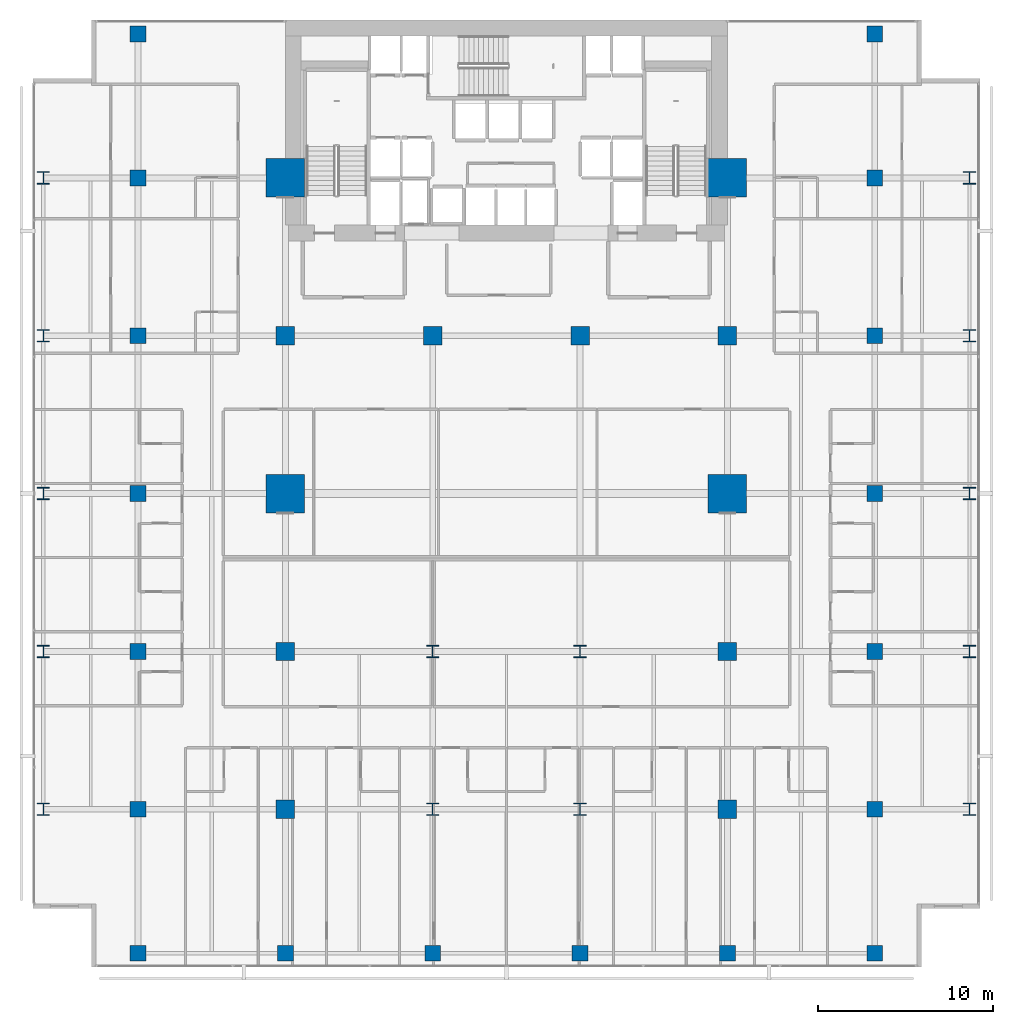
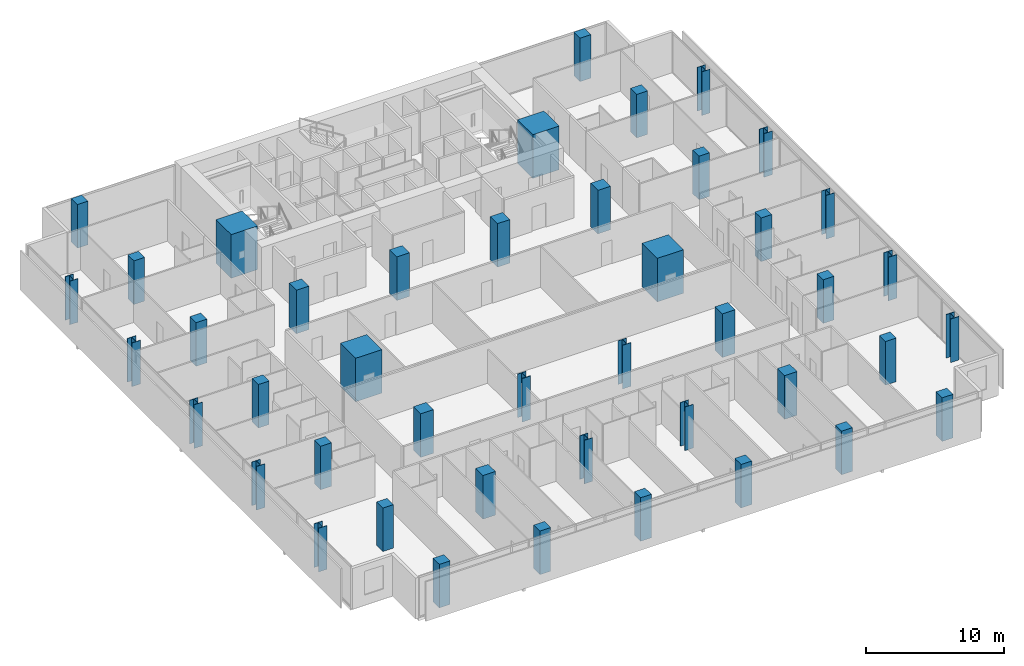
# One storey, part 1 of 40: 44 columns.
"""IFC4 building model written with IfcOpenShell, lengths in metres."""

from ifc_helpers import new_model, si_unit, direction, frame, origin, origin_2d, place, context, subcontext, project, spatial, rectangle, i_section, extrude, material, material_profile, profile_set, type_object, element, save


model = new_model("IFC4")

# Units and contexts
model_context = context("Model", 3, precision=1e-05, world=origin(), true_north=direction((0.0, 1.0)))
body_context = subcontext(model_context, "Body", "Model", "MODEL_VIEW")
ifc_project = project(units=[si_unit("LENGTHUNIT", "METRE"), si_unit("AREAUNIT", "SQUARE_METRE"), si_unit("VOLUMEUNIT", "CUBIC_METRE"), si_unit("PLANEANGLEUNIT", "RADIAN"), si_unit("MASSUNIT", "GRAM", prefix="KILO")], contexts=[model_context])

# Site, building, storey
site_placement = place(None, origin())
site = spatial("IfcSite", under=ifc_project, at=site_placement, CompositionType="ELEMENT")
building_placement = place(site_placement, origin())
building = spatial("IfcBuilding", under=site, at=building_placement, Name="Maruvema Waterfront Hotel and Observation Tower", CompositionType="ELEMENT")
storey_placement = place(building_placement, frame((0.0, 0.0, 30.800048828125)))
storey = spatial("IfcBuildingStorey", under=building, at=storey_placement, Name="L06", CompositionType="ELEMENT", Elevation=30.800048828125)

# Columns
ifc_material_1 = material(Name="Concrete C80/95", Category="concrete")
ifc_material_profile_1 = material_profile(ifc_material_1, rectangle(XDim=2.199951171875, YDim=2.199951171875, at=origin_2d()), Name="MC2200x2200")
ifc_profile_set_1 = profile_set([ifc_material_profile_1], Name="Concrete C80/95")
column_type_1 = type_object("IfcColumnType", Name="Continuous Mega-Column MC2200x2200", PredefinedType="COLUMN", material=ifc_profile_set_1)
for number, where, z_axis, x_axis, name in (
    (1, (25.199951171875, 27.0, 0.0), (0.0, 0.0, 1.0), (1.0, 0.0, 0.0), "L06 Continuous Mega-Column MC-01"),
    (2, (50.39990234375, 27.0, 0.0), (0.0, 0.0, 1.0), (1.0, 0.0, 0.0), "L06 Continuous Mega-Column MC-02"),
    (3, (25.199951171875, 45.0, 0.0), (0.0, 0.0, 1.0), (1.0, 0.0, 0.0), "L06 Continuous Mega-Column MC-03"),
    (4, (50.39990234375, 45.0, 0.0), (0.0, 0.0, 1.0), (1.0, 0.0, 0.0), "L06 Continuous Mega-Column MC-04"),
):
    element("IfcColumn", number, at=place(storey_placement, frame(where, z_axis=z_axis, x_axis=x_axis)), inside=storey, type_object=column_type_1, Name=name, PredefinedType="COLUMN", context=body_context, shape_type="SweptSolid", body=[
        extrude(rectangle(XDim=2.199951171875, YDim=2.199951171875, at=origin_2d()), origin(), (0.0, 0.0, 1.0), 3.849853515625),
    ])
ifc_material_2 = material(Name="Concrete C60/75", Category="concrete")
ifc_material_profile_2 = material_profile(ifc_material_2, rectangle(XDim=1.050048828125, YDim=1.050048828125, at=origin_2d()), Name="RC1050x1050")
ifc_profile_set_2 = profile_set([ifc_material_profile_2], Name="Concrete C60/75")
column_type_2 = type_object("IfcColumnType", Name="Reinforced Concrete Column RC1050x1050", PredefinedType="COLUMN", material=ifc_profile_set_2)
for number, where, z_axis, x_axis, name in (
    (5, (25.199951171875, 36.0, 0.0), (0.0, 0.0, 1.0), (1.0, 0.0, 0.0), "L06 Column C-4E"),
    (6, (33.60009765625, 36.0, 0.0), (0.0, 0.0, 1.0), (1.0, 0.0, 0.0), "L06 Column C-5E"),
    (7, (42.0, 36.0, 0.0), (0.0, 0.0, 1.0), (1.0, 0.0, 0.0), "L06 Column C-6E"),
    (8, (50.39990234375, 36.0, 0.0), (0.0, 0.0, 1.0), (1.0, 0.0, 0.0), "L06 Column C-7E"),
    (9, (25.199951171875, 18.0, 0.0), (0.0, 0.0, 1.0), (1.0, 0.0, 0.0), "L06 Column C-4C"),
    (10, (50.39990234375, 18.0, 0.0), (0.0, 0.0, 1.0), (1.0, 0.0, 0.0), "L06 Column C-7C"),
    (11, (25.199951171875, 9.0, 0.0), (0.0, 0.0, 1.0), (1.0, 0.0, 0.0), "L06 Column C-4B"),
    (12, (50.39990234375, 9.0, 0.0), (0.0, 0.0, 1.0), (1.0, 0.0, 0.0), "L06 Column C-7B"),
):
    element("IfcColumn", number, at=place(storey_placement, frame(where, z_axis=z_axis, x_axis=x_axis)), inside=storey, type_object=column_type_2, Name=name, PredefinedType="COLUMN", context=body_context, shape_type="SweptSolid", body=[
        extrude(rectangle(XDim=1.050048828125, YDim=1.050048828125, at=origin_2d()), origin(), (0.0, 0.0, 1.0), 3.849853515625),
    ])
ifc_material_3 = material(Name="Concrete C60/75", Category="concrete")
ifc_material_profile_3 = material_profile(ifc_material_3, rectangle(XDim=0.89990234375, YDim=0.89990234375, at=origin_2d()), Name="RC900x900")
ifc_profile_set_3 = profile_set([ifc_material_profile_3], Name="Concrete C60/75")
column_type_3 = type_object("IfcColumnType", Name="Reinforced Concrete Column RC900x900", PredefinedType="COLUMN", material=ifc_profile_set_3)
for number, where, z_axis, x_axis, name in (
    (13, (16.800048828125, 9.0, 0.0), (0.0, 0.0, 1.0), (1.0, 0.0, 0.0), "L06 Column C-3Y9"),
    (14, (58.800048828125, 9.0, 0.0), (0.0, 0.0, 1.0), (1.0, 0.0, 0.0), "L06 Column C-8Y9"),
    (15, (16.800048828125, 18.0, 0.0), (0.0, 0.0, 1.0), (1.0, 0.0, 0.0), "L06 Column C-3Y18"),
    (16, (58.800048828125, 18.0, 0.0), (0.0, 0.0, 1.0), (1.0, 0.0, 0.0), "L06 Column C-8Y18"),
    (17, (16.800048828125, 27.0, 0.0), (0.0, 0.0, 1.0), (1.0, 0.0, 0.0), "L06 Column C-3Y27"),
    (18, (58.800048828125, 27.0, 0.0), (0.0, 0.0, 1.0), (1.0, 0.0, 0.0), "L06 Column C-8Y27"),
    (19, (16.800048828125, 36.0, 0.0), (0.0, 0.0, 1.0), (1.0, 0.0, 0.0), "L06 Column C-3Y36"),
    (20, (58.800048828125, 36.0, 0.0), (0.0, 0.0, 1.0), (1.0, 0.0, 0.0), "L06 Column C-8Y36"),
    (21, (16.800048828125, 45.0, 0.0), (0.0, 0.0, 1.0), (1.0, 0.0, 0.0), "L06 Column C-3Y45"),
    (22, (58.800048828125, 45.0, 0.0), (0.0, 0.0, 1.0), (1.0, 0.0, 0.0), "L06 Column C-8Y45"),
    (23, (16.800048828125, 0.800048828125, 0.0), (0.0, 0.0, 1.0), (1.0, 0.0, 0.0), "L06 Column C-3A"),
    (24, (25.199951171875, 0.800048828125, 0.0), (0.0, 0.0, 1.0), (1.0, 0.0, 0.0), "L06 Column C-4A"),
    (25, (33.60009765625, 0.800048828125, 0.0), (0.0, 0.0, 1.0), (1.0, 0.0, 0.0), "L06 Column C-5A"),
    (26, (42.0, 0.800048828125, 0.0), (0.0, 0.0, 1.0), (1.0, 0.0, 0.0), "L06 Column C-6A"),
    (27, (50.39990234375, 0.800048828125, 0.0), (0.0, 0.0, 1.0), (1.0, 0.0, 0.0), "L06 Column C-7A"),
    (28, (58.800048828125, 0.800048828125, 0.0), (0.0, 0.0, 1.0), (1.0, 0.0, 0.0), "L06 Column C-8A"),
    (29, (16.800048828125, 53.199951171875, 0.0), (0.0, 0.0, 1.0), (1.0, 0.0, 0.0), "L06 Column C-3G"),
    (30, (58.800048828125, 53.199951171875, 0.0), (0.0, 0.0, 1.0), (1.0, 0.0, 0.0), "L06 Column C-8G"),
):
    element("IfcColumn", number, at=place(storey_placement, frame(where, z_axis=z_axis, x_axis=x_axis)), inside=storey, type_object=column_type_3, Name=name, PredefinedType="COLUMN", context=body_context, shape_type="SweptSolid", body=[
        extrude(rectangle(XDim=0.89990234375, YDim=0.89990234375, at=origin_2d()), origin(), (0.0, 0.0, 1.0), 3.849853515625),
    ])
ifc_material_4 = material(Name="Steel ABNT NBR 7007 AR 415 (ASTM A572 Grade 50)", Category="steel")
ifc_material_profile_4 = material_profile(ifc_material_4, i_section(OverallWidth=0.699951171875, OverallDepth=0.699951171875, WebThickness=0.028076171875, FlangeThickness=0.0439453125, at=origin_2d()), Name="CVS700x436")
ifc_profile_set_4 = profile_set([ifc_material_profile_4], Name="Steel ABNT NBR 7007 AR 415 (ASTM A572 Grade 50)")
column_type_4 = type_object("IfcColumnType", Name="Structural Steel Column CVS700x436", PredefinedType="COLUMN", material=ifc_profile_set_4)
for number, where, z_axis, x_axis, name in (
    (31, (33.60009765625, 9.0, 0.0), (0.0, 0.0, 1.0), (1.0, 0.0, 0.0), "L06 Column C-5B"),
    (32, (42.0, 9.0, 0.0), (0.0, 0.0, 1.0), (1.0, 0.0, 0.0), "L06 Column C-6B"),
    (33, (33.60009765625, 18.0, 0.0), (0.0, 0.0, 1.0), (1.0, 0.0, 0.0), "L06 Column C-5C"),
    (34, (42.0, 18.0, 0.0), (0.0, 0.0, 1.0), (1.0, 0.0, 0.0), "L06 Column C-6C"),
    (35, (11.39990234375, 9.0, 0.0), (0.0, 0.0, 1.0), (1.0, 0.0, 0.0), "L06 Column C-Z1W9"),
    (36, (64.199951171875, 9.0, 0.0), (0.0, 0.0, 1.0), (1.0, 0.0, 0.0), "L06 Column C-Z1E9"),
    (37, (11.39990234375, 18.0, 0.0), (0.0, 0.0, 1.0), (1.0, 0.0, 0.0), "L06 Column C-Z1W18"),
    (38, (64.199951171875, 18.0, 0.0), (0.0, 0.0, 1.0), (1.0, 0.0, 0.0), "L06 Column C-Z1E18"),
    (39, (11.39990234375, 27.0, 0.0), (0.0, 0.0, 1.0), (1.0, 0.0, 0.0), "L06 Column C-Z1W27"),
    (40, (64.199951171875, 27.0, 0.0), (0.0, 0.0, 1.0), (1.0, 0.0, 0.0), "L06 Column C-Z1E27"),
    (41, (11.39990234375, 36.0, 0.0), (0.0, 0.0, 1.0), (1.0, 0.0, 0.0), "L06 Column C-Z1W36"),
    (42, (64.199951171875, 36.0, 0.0), (0.0, 0.0, 1.0), (1.0, 0.0, 0.0), "L06 Column C-Z1E36"),
    (43, (11.39990234375, 45.0, 0.0), (0.0, 0.0, 1.0), (1.0, 0.0, 0.0), "L06 Column C-Z1W45"),
    (44, (64.199951171875, 45.0, 0.0), (0.0, 0.0, 1.0), (1.0, 0.0, 0.0), "L06 Column C-Z1E45"),
):
    element("IfcColumn", number, at=place(storey_placement, frame(where, z_axis=z_axis, x_axis=x_axis)), inside=storey, type_object=column_type_4, Name=name, PredefinedType="COLUMN", context=body_context, shape_type="SweptSolid", body=[
        extrude(i_section(OverallWidth=0.699951171875, OverallDepth=0.699951171875, WebThickness=0.028076171875, FlangeThickness=0.0439453125, at=origin_2d()), origin(), (0.0, 0.0, 1.0), 3.849853515625),
    ])

save(model, "model.ifc")
